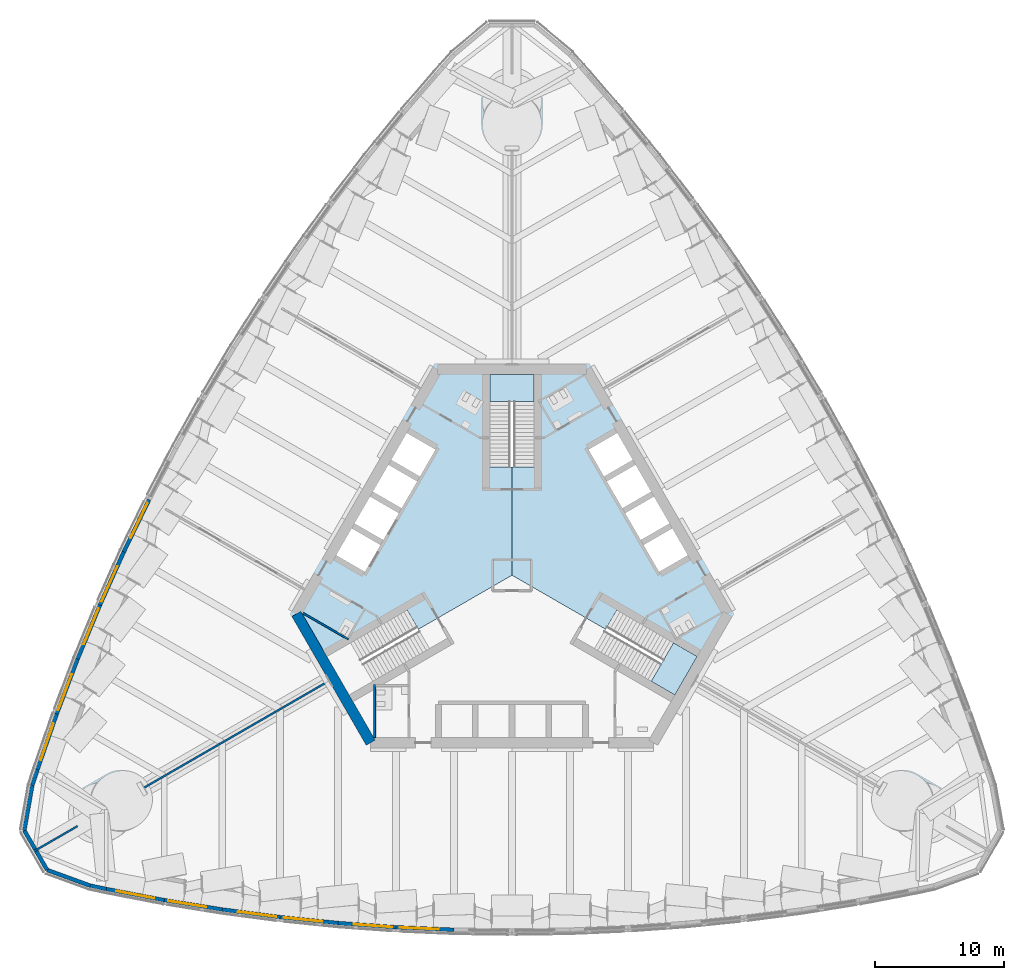
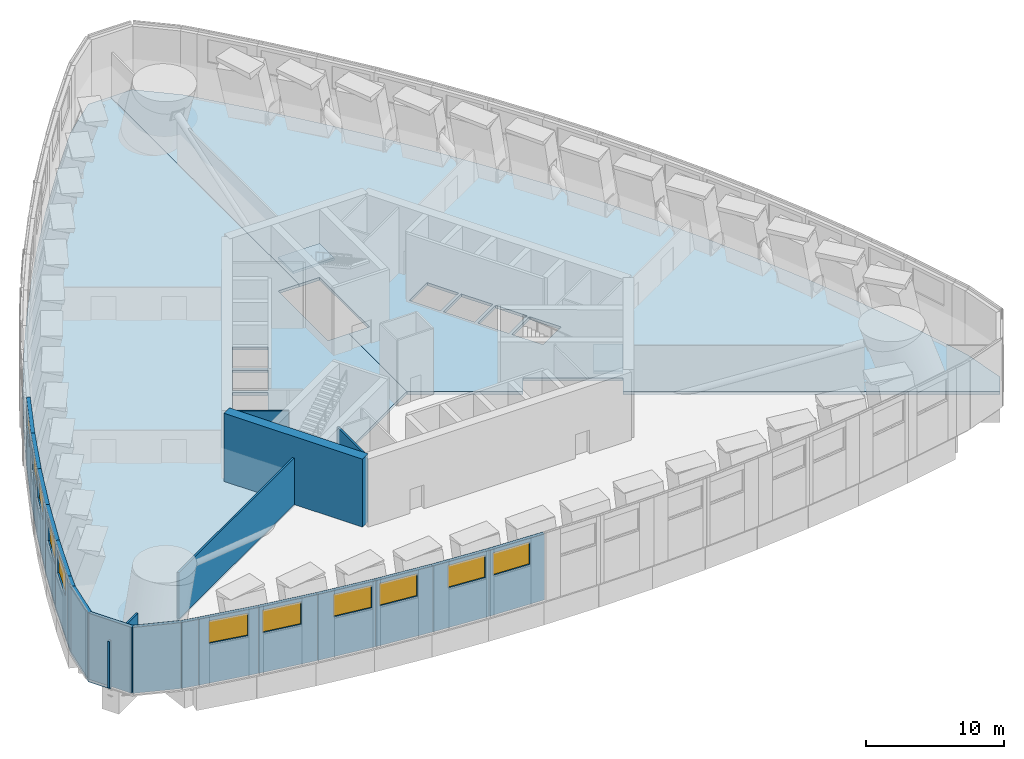
# One storey, part 7 of 28: 21 walls, 11 windows, 4 slabs, 11 openings, 2 elements without a shape of their own.
"""IFC4 building model written with IfcOpenShell, lengths in metres."""

from ifc_helpers import new_model, si_unit, direction, frame, frame_2d, origin, place, context, subcontext, project, spatial, polyline, rectangle, outline, extrude, material, layer, layer_set, type_object, element, fill, aggregate, save


model = new_model("IFC4")

# Units and contexts
model_context = context("Model", 3, precision=1e-05, world=origin(), true_north=direction((0.0, 1.0)))
body_context = subcontext(model_context, "Body", "Model", "MODEL_VIEW")
ifc_project = project(units=[si_unit("LENGTHUNIT", "METRE"), si_unit("AREAUNIT", "SQUARE_METRE"), si_unit("VOLUMEUNIT", "CUBIC_METRE"), si_unit("PLANEANGLEUNIT", "RADIAN"), si_unit("MASSUNIT", "GRAM", prefix="KILO")], contexts=[model_context])

# Site, building, storey
site_placement = place(None, origin())
site = spatial("IfcSite", under=ifc_project, at=site_placement, CompositionType="ELEMENT")
building_placement = place(site_placement, origin())
building = spatial("IfcBuilding", under=site, at=building_placement, Name="Trefoil Bronze Tower", CompositionType="ELEMENT")
storey_placement = place(building_placement, frame((0.0, 0.0, 92.10009765625)))
storey = spatial("IfcBuildingStorey", under=building, at=storey_placement, Name="L21", CompositionType="ELEMENT", Elevation=92.10009765625)

# Slabs
ifc_material_1 = material(Name="Concrete B30", Category="concrete")
ifc_layer_1 = layer(ifc_material_1, 0.25)
ifc_layer_set_1 = layer_set([ifc_layer_1], Name="Floor slab 250")
slab_type_1 = type_object("IfcSlabType", Name="Floor slab 250", PredefinedType="FLOOR", material=ifc_layer_set_1)
slab_1_placement = place(storey_placement, frame((0.0, 0.0, -0.25)))
element("IfcSlab", 1, at=slab_1_placement, inside=storey, type_object=slab_type_1, Name="Floor slab L21 face 2", PredefinedType="FLOOR", context=body_context, shape_type="SweptSolid", body=[
    extrude(outline(polyline([(8.47998046875, 36.07275390625), (11.360107421875, 32.53955078125), (14.123291015625, 28.938720703125), (16.771240234375, 25.271240234375), (19.3046875, 21.537841796875), (21.724609375, 17.73876953125), (24.031005859375, 13.874267578125), (26.224609375, 9.944580078125), (28.3046875, 5.949462890625), (30.271240234375, 1.888671875), (32.123291015625, -2.238037109375), (33.860107421875, -6.431640625), (35.47998046875, -10.6923828125), (36.9814453125, -15.021728515625), (37.381103515625, -16.248779296875), (38.0146484375, -19.841552734375), (37.1025390625, -21.421142578125), (13.510009765625, -7.800048828125), (14.37255859375, -6.30615234375), (8.13720703125, -2.7060546875), (7.274658203125, -4.199951171875), (0.0, 0.0), (0.0, 8.39990234375), (1.72509765625, 8.39990234375), (1.72509765625, 15.60009765625), (0.0, 15.60009765625), (0.0, 42.842529296875), (1.82421875, 42.842529296875), (4.618896484375, 40.497314453125), (5.4814453125, 39.537841796875), (8.47998046875, 36.07275390625)]), holes=[polyline([(11.469482421875, 0.184326171875), (10.16943359375, 2.43603515625), (12.3994140625, 3.7236328125), (13.699462890625, 1.471923828125), (11.469482421875, 0.184326171875)]), polyline([(10.04443359375, 2.652587890625), (8.744384765625, 4.904296875), (10.974365234375, 6.191650390625), (12.2744140625, 3.940185546875), (10.04443359375, 2.652587890625)]), polyline([(8.619384765625, 5.120849609375), (7.3193359375, 7.372314453125), (9.54931640625, 8.659912109375), (10.849365234375, 6.408203125), (8.619384765625, 5.120849609375)]), polyline([(7.1943359375, 7.5888671875), (5.894287109375, 9.840576171875), (8.12451171875, 11.128173828125), (9.42431640625, 8.87646484375), (7.1943359375, 7.5888671875)])]), origin(), (0.0, 0.0, 1.0), 0.25),
])
slab_2_placement = place(storey_placement, frame((0.0, 0.0, -0.25)))
element("IfcSlab", 2, at=slab_2_placement, inside=storey, type_object=slab_type_1, Name="Floor slab L21 face 3", PredefinedType="FLOOR", context=body_context, shape_type="SweptSolid", body=[
    extrude(outline(polyline([(-35.47998046875, -10.6923828125), (-33.860107421875, -6.431640625), (-32.123291015625, -2.238037109375), (-30.271240234375, 1.888671875), (-28.3046875, 5.949462890625), (-26.224609375, 9.944580078125), (-24.031005859375, 13.874267578125), (-21.724609375, 17.73876953125), (-19.3046875, 21.537841796875), (-16.771240234375, 25.271240234375), (-14.123291015625, 28.938720703125), (-11.360107421875, 32.53955078125), (-8.47998046875, 36.07275390625), (-5.4814453125, 39.537841796875), (-4.618896484375, 40.497314453125), (-1.82421875, 42.842529296875), (0.0, 42.842529296875), (0.0, 15.60009765625), (-1.72509765625, 15.60009765625), (-1.72509765625, 8.39990234375), (0.0, 8.39990234375), (0.0, 0.0), (-7.274658203125, -4.199951171875), (-8.13720703125, -2.7060546875), (-14.37255859375, -6.30615234375), (-13.510009765625, -7.800048828125), (-37.1025390625, -21.421142578125), (-38.0146484375, -19.841552734375), (-37.381103515625, -16.248779296875), (-36.9814453125, -15.021728515625), (-35.47998046875, -10.6923828125)]), holes=[polyline([(-5.894287109375, 9.840576171875), (-7.1943359375, 7.5888671875), (-9.42431640625, 8.87646484375), (-8.12451171875, 11.128173828125), (-5.894287109375, 9.840576171875)]), polyline([(-7.3193359375, 7.372314453125), (-8.619384765625, 5.120849609375), (-10.849365234375, 6.408203125), (-9.54931640625, 8.659912109375), (-7.3193359375, 7.372314453125)]), polyline([(-8.744384765625, 4.904296875), (-10.04443359375, 2.652587890625), (-12.2744140625, 3.940185546875), (-10.974365234375, 6.191650390625), (-8.744384765625, 4.904296875)]), polyline([(-10.16943359375, 2.43603515625), (-11.469482421875, 0.184326171875), (-13.699462890625, 1.471923828125), (-12.3994140625, 3.7236328125), (-10.16943359375, 2.43603515625)])]), origin(), (0.0, 0.0, 1.0), 0.25),
])

# Stair, slab
ifc_material_2 = material(Name="Precast concrete B80", Category="concrete")
stair_type = type_object("IfcStairType", Name="Exit stair 36 risers", PredefinedType="HALF_TURN_STAIR", material=ifc_material_2)
stair_1_placement = place(storey_placement, origin())
stair_1 = element("IfcStair", 3, at=stair_1_placement, inside=storey, type_object=stair_type, Name="Stair ST1 L21", PredefinedType="HALF_TURN_STAIR")
ifc_material_3 = material(Name="Concrete B30", Category="concrete")
ifc_layer_2 = layer(ifc_material_3, 0.199951171875)
ifc_layer_set_2 = layer_set([ifc_layer_2], Name="Stair landing 200")
slab_type_2 = type_object("IfcSlabType", Name="Stair landing 200", PredefinedType="LANDING", material=ifc_layer_set_2)
slab_3_placement = place(storey_placement, frame((0.0, 0.0, 2.7998046875)))
slab_3 = element("IfcSlab", 4, at=slab_3_placement, type_object=slab_type_2, Name="ST1 landing 1", PredefinedType="LANDING", context=body_context, shape_type="SweptSolid", body=[
    extrude(outline(polyline([(10.8115234375, -8.23388671875), (12.6474609375, -9.2939453125), (14.37255859375, -6.30615234375), (12.53662109375, -5.24609375), (10.8115234375, -8.23388671875)])), origin(), (0.0, 0.0, 1.0), 0.2001953125),
])
aggregate(stair_1, [slab_3])

stair_2_placement = place(storey_placement, origin())
stair_2 = element("IfcStair", 5, at=stair_2_placement, inside=storey, type_object=stair_type, Name="Stair ST2 L21", PredefinedType="HALF_TURN_STAIR")
slab_4_placement = place(storey_placement, frame((0.0, 0.0, 2.7998046875)))
slab_4 = element("IfcSlab", 6, at=slab_4_placement, type_object=slab_type_2, Name="ST2 landing 1", PredefinedType="LANDING", context=body_context, shape_type="SweptSolid", body=[
    extrude(outline(polyline([(1.72509765625, 13.47998046875), (1.72509765625, 15.60009765625), (-1.72509765625, 15.60009765625), (-1.72509765625, 13.47998046875), (1.72509765625, 13.47998046875)])), origin(), (0.0, 0.0, 1.0), 0.2001953125),
])
aggregate(stair_2, [slab_4])

# Wall
ifc_material_4 = material(Name="Concrete B80", Category="concrete")
ifc_layer_3 = layer(ifc_material_4, 0.300048828125)
ifc_layer_set_3 = layer_set([ifc_layer_3], Name="Belt wall 300")
wall_type_1 = type_object("IfcWallType", Name="Belt wall 300", PredefinedType="SOLIDWALL", material=ifc_layer_set_3)
wall_1_placement = place(storey_placement, frame((-32.762451171875, -24.0986328125, 0.0), z_axis=(0.0, 0.0, 1.0), x_axis=(0.978306217861, -0.207164051162, 0.0)))
element("IfcWall", 7, at=wall_1_placement, inside=storey, type_object=wall_type_1, Name="Belt wall T1.1", PredefinedType="SOLIDWALL", context=body_context, shape_type="SweptSolid", body=[
    extrude(rectangle(XDim=1.29052734375, YDim=0.300048828125, at=frame_2d((0.645263671875, 0.0))), origin(), (0.0, 0.0, 1.0), 5.7998046875),
])

# Wall, opening, window
wall_2_placement = place(storey_placement, frame((-31.5, -24.365966796875, 0.0), z_axis=(0.0, 0.0, 1.0), x_axis=(0.982042151555, -0.188661635127, 0.0)))
wall_2 = element("IfcWall", 8, at=wall_2_placement, inside=storey, type_object=wall_type_1, Name="Belt wall T1.2", PredefinedType="SOLIDWALL", context=body_context, shape_type="SweptSolid", body=[
    extrude(rectangle(XDim=4.582275390625, YDim=0.300048828125, at=frame_2d((2.291015625, 0.0))), origin(), (0.0, 0.0, 1.0), 5.7998046875),
])
opening_1_placement = place(wall_2_placement, frame((0.791015625, 0.0, 3.5)))
opening_1 = element("IfcOpeningElement", 9, at=opening_1_placement, cuts=wall_2, Name="Opening LV1", PredefinedType="OPENING", context=body_context, shape_type="SweptSolid", body=[
    extrude(rectangle(XDim=3.0, YDim=2.0, at=frame_2d((1.5, 1.0))), frame((0.0, 0.159912109375, 0.0), z_axis=(0.0, -1.0, 0.0), x_axis=(1.0, 0.0, 0.0)), (0.0, 0.0, 1.0), 0.320068359375),
])
ifc_material_5 = material(Name="Bronze-finish aluminium louvre", Category="aluminium")
window_type = type_object("IfcWindowType", Name="Plant louvre 3000", PartitioningType="SINGLE_PANEL", PredefinedType="USERDEFINED", material=ifc_material_5)
window_1_placement = place(opening_1_placement, origin())
window_1 = element("IfcWindow", 10, at=window_1_placement, inside=storey, type_object=window_type, Name="Plant louvre L21 F1.2.1", ObjectType="LOUVRE", OverallHeight=2.0, OverallWidth=3.0, PartitioningType="SINGLE_PANEL", PredefinedType="USERDEFINED", context=body_context, shape_type="SweptSolid", body=[
    extrude(rectangle(XDim=3.0, YDim=2.0, at=frame_2d((1.5, 1.0))), frame((0.0, 0.030029296875, 0.0), z_axis=(0.0, -1.0, 0.0), x_axis=(1.0, 0.0, 0.0)), (0.0, 0.0, 1.0), 0.06005859375),
])
fill(opening_1, window_1)

wall_3_placement = place(storey_placement, frame((-27.0, -25.23046875, 0.0), z_axis=(0.0, 0.0, 1.0), x_axis=(0.987181300889, -0.159602879593, 0.0)))
wall_3 = element("IfcWall", 11, at=wall_3_placement, inside=storey, type_object=wall_type_1, Name="Belt wall T1.3", PredefinedType="SOLIDWALL", context=body_context, shape_type="SweptSolid", body=[
    extrude(rectangle(XDim=4.558349609375, YDim=0.300048828125, at=frame_2d((2.279296875, 0.0))), origin(), (0.0, 0.0, 1.0), 5.7998046875),
])
opening_2_placement = place(wall_3_placement, frame((0.300048828125, 0.0, 3.5)))
opening_2 = element("IfcOpeningElement", 12, at=opening_2_placement, cuts=wall_3, Name="Opening LV1", PredefinedType="OPENING", context=body_context, shape_type="SweptSolid", body=[
    extrude(rectangle(XDim=3.0, YDim=2.0, at=frame_2d((1.5, 1.0))), frame((0.0, 0.159912109375, 0.0), z_axis=(0.0, -1.0, 0.0), x_axis=(1.0, 0.0, 0.0)), (0.0, 0.0, 1.0), 0.320068359375),
])
window_2_placement = place(opening_2_placement, origin())
window_2 = element("IfcWindow", 13, at=window_2_placement, inside=storey, type_object=window_type, Name="Plant louvre L21 F1.3.1", ObjectType="LOUVRE", OverallHeight=2.0, OverallWidth=3.0, PartitioningType="SINGLE_PANEL", PredefinedType="USERDEFINED", context=body_context, shape_type="SweptSolid", body=[
    extrude(rectangle(XDim=3.0, YDim=2.0, at=frame_2d((1.5, 1.0))), frame((0.0, 0.030029296875, 0.0), z_axis=(0.0, -1.0, 0.0), x_axis=(1.0, 0.0, 0.0)), (0.0, 0.0, 1.0), 0.06005859375),
])
fill(opening_2, window_2)

wall_4_placement = place(storey_placement, frame((-22.5, -25.9580078125, 0.0), z_axis=(0.0, 0.0, 1.0), x_axis=(0.991442207947, -0.130546345415, 0.0)))
wall_4 = element("IfcWall", 14, at=wall_4_placement, inside=storey, type_object=wall_type_1, Name="Belt wall T1.4", PredefinedType="SOLIDWALL", context=body_context, shape_type="SweptSolid", body=[
    extrude(rectangle(XDim=4.538818359375, YDim=0.300048828125, at=frame_2d((2.26953125, 0.0))), origin(), (0.0, 0.0, 1.0), 5.7998046875),
])
opening_3_placement = place(wall_4_placement, frame((1.23876953125, 0.0, 3.5)))
opening_3 = element("IfcOpeningElement", 15, at=opening_3_placement, cuts=wall_4, Name="Opening LV1", PredefinedType="OPENING", context=body_context, shape_type="SweptSolid", body=[
    extrude(rectangle(XDim=3.0, YDim=2.0, at=frame_2d((1.5, 1.0))), frame((0.0, 0.159912109375, 0.0), z_axis=(0.0, -1.0, 0.0), x_axis=(1.0, 0.0, 0.0)), (0.0, 0.0, 1.0), 0.320068359375),
])
window_3_placement = place(opening_3_placement, origin())
window_3 = element("IfcWindow", 16, at=window_3_placement, inside=storey, type_object=window_type, Name="Plant louvre L21 F1.4.1", ObjectType="LOUVRE", OverallHeight=2.0, OverallWidth=3.0, PartitioningType="SINGLE_PANEL", PredefinedType="USERDEFINED", context=body_context, shape_type="SweptSolid", body=[
    extrude(rectangle(XDim=3.0, YDim=2.0, at=frame_2d((1.5, 1.0))), frame((0.0, 0.030029296875, 0.0), z_axis=(0.0, -1.0, 0.0), x_axis=(1.0, 0.0, 0.0)), (0.0, 0.0, 1.0), 0.06005859375),
])
fill(opening_3, window_3)

wall_5_placement = place(storey_placement, frame((-18.0, -26.550537109375, 0.0), z_axis=(0.0, 0.0, 1.0), x_axis=(0.994827688697, -0.101576915697, 0.0)))
wall_5 = element("IfcWall", 17, at=wall_5_placement, inside=storey, type_object=wall_type_1, Name="Belt wall T1.5", PredefinedType="SOLIDWALL", context=body_context, shape_type="SweptSolid", body=[
    extrude(rectangle(XDim=4.5234375, YDim=0.300048828125, at=frame_2d((2.26171875, 0.0))), origin(), (0.0, 0.0, 1.0), 5.7998046875),
])
opening_4_placement = place(wall_5_placement, frame((0.300048828125, 0.0, 3.5)))
opening_4 = element("IfcOpeningElement", 18, at=opening_4_placement, cuts=wall_5, Name="Opening LV1", PredefinedType="OPENING", context=body_context, shape_type="SweptSolid", body=[
    extrude(rectangle(XDim=3.0, YDim=2.0, at=frame_2d((1.5, 1.0))), frame((0.0, 0.159912109375, 0.0), z_axis=(0.0, -1.0, 0.0), x_axis=(1.0, 0.0, 0.0)), (0.0, 0.0, 1.0), 0.320068359375),
])
window_4_placement = place(opening_4_placement, origin())
window_4 = element("IfcWindow", 19, at=window_4_placement, inside=storey, type_object=window_type, Name="Plant louvre L21 F1.5.1", ObjectType="LOUVRE", OverallHeight=2.0, OverallWidth=3.0, PartitioningType="SINGLE_PANEL", PredefinedType="USERDEFINED", context=body_context, shape_type="SweptSolid", body=[
    extrude(rectangle(XDim=3.0, YDim=2.0, at=frame_2d((1.5, 1.0))), frame((0.0, 0.030029296875, 0.0), z_axis=(0.0, -1.0, 0.0), x_axis=(1.0, 0.0, 0.0)), (0.0, 0.0, 1.0), 0.06005859375),
])
fill(opening_4, window_4)

wall_6_placement = place(storey_placement, frame((-13.5, -27.010009765625, 0.0), z_axis=(0.0, 0.0, 1.0), x_axis=(0.997363894896, -0.072562119306, 0.0)))
wall_6 = element("IfcWall", 20, at=wall_6_placement, inside=storey, type_object=wall_type_1, Name="Belt wall T1.6", PredefinedType="SOLIDWALL", context=body_context, shape_type="SweptSolid", body=[
    extrude(rectangle(XDim=4.511962890625, YDim=0.300048828125, at=frame_2d((2.255859375, 0.0))), origin(), (0.0, 0.0, 1.0), 5.7998046875),
])
opening_5_placement = place(wall_6_placement, frame((1.2119140625, 0.0, 3.5)))
opening_5 = element("IfcOpeningElement", 21, at=opening_5_placement, cuts=wall_6, Name="Opening LV1", PredefinedType="OPENING", context=body_context, shape_type="SweptSolid", body=[
    extrude(rectangle(XDim=3.0, YDim=2.0, at=frame_2d((1.5, 1.0))), frame((0.0, 0.159912109375, 0.0), z_axis=(0.0, -1.0, 0.0), x_axis=(1.0, 0.0, 0.0)), (0.0, 0.0, 1.0), 0.320068359375),
])
window_5_placement = place(opening_5_placement, origin())
window_5 = element("IfcWindow", 22, at=window_5_placement, inside=storey, type_object=window_type, Name="Plant louvre L21 F1.6.1", ObjectType="LOUVRE", OverallHeight=2.0, OverallWidth=3.0, PartitioningType="SINGLE_PANEL", PredefinedType="USERDEFINED", context=body_context, shape_type="SweptSolid", body=[
    extrude(rectangle(XDim=3.0, YDim=2.0, at=frame_2d((1.5, 1.0))), frame((0.0, 0.030029296875, 0.0), z_axis=(0.0, -1.0, 0.0), x_axis=(1.0, 0.0, 0.0)), (0.0, 0.0, 1.0), 0.06005859375),
])
fill(opening_5, window_5)

wall_7_placement = place(storey_placement, frame((-9.0, -27.33740234375, 0.0), z_axis=(0.0, 0.0, 1.0), x_axis=(0.999052370647, -0.043524254212, 0.0)))
wall_7 = element("IfcWall", 23, at=wall_7_placement, inside=storey, type_object=wall_type_1, Name="Belt wall T1.7", PredefinedType="SOLIDWALL", context=body_context, shape_type="SweptSolid", body=[
    extrude(rectangle(XDim=4.504150390625, YDim=0.300048828125, at=frame_2d((2.251953125, 0.0))), origin(), (0.0, 0.0, 1.0), 5.7998046875),
])
opening_6_placement = place(wall_7_placement, frame((0.300048828125, 0.0, 3.5)))
opening_6 = element("IfcOpeningElement", 24, at=opening_6_placement, cuts=wall_7, Name="Opening LV1", PredefinedType="OPENING", context=body_context, shape_type="SweptSolid", body=[
    extrude(rectangle(XDim=3.0, YDim=2.0, at=frame_2d((1.5, 1.0))), frame((0.0, 0.159912109375, 0.0), z_axis=(0.0, -1.0, 0.0), x_axis=(1.0, 0.0, 0.0)), (0.0, 0.0, 1.0), 0.320068359375),
])
window_6_placement = place(opening_6_placement, origin())
window_6 = element("IfcWindow", 25, at=window_6_placement, inside=storey, type_object=window_type, Name="Plant louvre L21 F1.7.1", ObjectType="LOUVRE", OverallHeight=2.0, OverallWidth=3.0, PartitioningType="SINGLE_PANEL", PredefinedType="USERDEFINED", context=body_context, shape_type="SweptSolid", body=[
    extrude(rectangle(XDim=3.0, YDim=2.0, at=frame_2d((1.5, 1.0))), frame((0.0, 0.030029296875, 0.0), z_axis=(0.0, -1.0, 0.0), x_axis=(1.0, 0.0, 0.0)), (0.0, 0.0, 1.0), 0.06005859375),
])
fill(opening_6, window_6)

wall_8_placement = place(storey_placement, frame((-28.1748046875, 5.87451171875, 0.0), z_axis=(0.0, 0.0, 1.0), x_axis=(-0.435857917556, -0.900015486369, 0.0)))
wall_8 = element("IfcWall", 26, at=wall_8_placement, inside=storey, type_object=wall_type_1, Name="Belt wall T1.49", PredefinedType="SOLIDWALL", context=body_context, shape_type="SweptSolid", body=[
    extrude(rectangle(XDim=4.511962890625, YDim=0.300048828125, at=frame_2d((2.255859375, 0.0))), origin(), (0.0, 0.0, 1.0), 5.7998046875),
])
opening_7_placement = place(wall_8_placement, frame((0.300048828125, 0.0, 3.5)))
opening_7 = element("IfcOpeningElement", 27, at=opening_7_placement, cuts=wall_8, Name="Opening LV1", PredefinedType="OPENING", context=body_context, shape_type="SweptSolid", body=[
    extrude(rectangle(XDim=3.0, YDim=2.0, at=frame_2d((1.5, 1.0))), frame((0.0, 0.159912109375, 0.0), z_axis=(0.0, -1.0, 0.0), x_axis=(1.0, 0.0, 0.0)), (0.0, 0.0, 1.0), 0.320068359375),
])
window_7_placement = place(opening_7_placement, origin())
window_7 = element("IfcWindow", 28, at=window_7_placement, inside=storey, type_object=window_type, Name="Plant louvre L21 F3.11.1", ObjectType="LOUVRE", OverallHeight=2.0, OverallWidth=3.0, PartitioningType="SINGLE_PANEL", PredefinedType="USERDEFINED", context=body_context, shape_type="SweptSolid", body=[
    extrude(rectangle(XDim=3.0, YDim=2.0, at=frame_2d((1.5, 1.0))), frame((0.0, 0.030029296875, 0.0), z_axis=(0.0, -1.0, 0.0), x_axis=(1.0, 0.0, 0.0)), (0.0, 0.0, 1.0), 0.06005859375),
])
fill(opening_7, window_7)

wall_9_placement = place(storey_placement, frame((-30.141357421875, 1.813720703125, 0.0), z_axis=(0.0, 0.0, 1.0), x_axis=(-0.409430894151, -0.912341132973, 0.0)))
wall_9 = element("IfcWall", 29, at=wall_9_placement, inside=storey, type_object=wall_type_1, Name="Belt wall T1.50", PredefinedType="SOLIDWALL", context=body_context, shape_type="SweptSolid", body=[
    extrude(rectangle(XDim=4.5234375, YDim=0.300048828125, at=frame_2d((2.26171875, 0.0))), origin(), (0.0, 0.0, 1.0), 5.7998046875),
])
opening_8_placement = place(wall_9_placement, frame((1.223388671875, 0.0, 3.5)))
opening_8 = element("IfcOpeningElement", 30, at=opening_8_placement, cuts=wall_9, Name="Opening LV1", PredefinedType="OPENING", context=body_context, shape_type="SweptSolid", body=[
    extrude(rectangle(XDim=3.0, YDim=2.0, at=frame_2d((1.5, 1.0))), frame((0.0, 0.159912109375, 0.0), z_axis=(0.0, -1.0, 0.0), x_axis=(1.0, 0.0, 0.0)), (0.0, 0.0, 1.0), 0.320068359375),
])
window_8_placement = place(opening_8_placement, origin())
window_8 = element("IfcWindow", 31, at=window_8_placement, inside=storey, type_object=window_type, Name="Plant louvre L21 F3.12.1", ObjectType="LOUVRE", OverallHeight=2.0, OverallWidth=3.0, PartitioningType="SINGLE_PANEL", PredefinedType="USERDEFINED", context=body_context, shape_type="SweptSolid", body=[
    extrude(rectangle(XDim=3.0, YDim=2.0, at=frame_2d((1.5, 1.0))), frame((0.0, 0.030029296875, 0.0), z_axis=(0.0, -1.0, 0.0), x_axis=(1.0, 0.0, 0.0)), (0.0, 0.0, 1.0), 0.06005859375),
])
fill(opening_8, window_8)

wall_10_placement = place(storey_placement, frame((-31.993408203125, -2.313232421875, 0.0), z_axis=(0.0, 0.0, 1.0), x_axis=(-0.38265900014, -0.923889652292, 0.0)))
wall_10 = element("IfcWall", 32, at=wall_10_placement, inside=storey, type_object=wall_type_1, Name="Belt wall T1.51", PredefinedType="SOLIDWALL", context=body_context, shape_type="SweptSolid", body=[
    extrude(rectangle(XDim=4.538818359375, YDim=0.300048828125, at=frame_2d((2.26953125, 0.0))), origin(), (0.0, 0.0, 1.0), 5.7998046875),
])
opening_9_placement = place(wall_10_placement, frame((0.300048828125, 0.0, 3.5)))
opening_9 = element("IfcOpeningElement", 33, at=opening_9_placement, cuts=wall_10, Name="Opening LV1", PredefinedType="OPENING", context=body_context, shape_type="SweptSolid", body=[
    extrude(rectangle(XDim=3.0, YDim=2.0, at=frame_2d((1.5, 1.0))), frame((0.0, 0.159912109375, 0.0), z_axis=(0.0, -1.0, 0.0), x_axis=(1.0, 0.0, 0.0)), (0.0, 0.0, 1.0), 0.320068359375),
])
window_9_placement = place(opening_9_placement, origin())
window_9 = element("IfcWindow", 34, at=window_9_placement, inside=storey, type_object=window_type, Name="Plant louvre L21 F3.13.1", ObjectType="LOUVRE", OverallHeight=2.0, OverallWidth=3.0, PartitioningType="SINGLE_PANEL", PredefinedType="USERDEFINED", context=body_context, shape_type="SweptSolid", body=[
    extrude(rectangle(XDim=3.0, YDim=2.0, at=frame_2d((1.5, 1.0))), frame((0.0, 0.030029296875, 0.0), z_axis=(0.0, -1.0, 0.0), x_axis=(1.0, 0.0, 0.0)), (0.0, 0.0, 1.0), 0.06005859375),
])
fill(opening_9, window_9)

wall_11_placement = place(storey_placement, frame((-33.730224609375, -6.506591796875, 0.0), z_axis=(0.0, 0.0, 1.0), x_axis=(-0.355351603025, -0.93473270951, 0.0)))
wall_11 = element("IfcWall", 35, at=wall_11_placement, inside=storey, type_object=wall_type_1, Name="Belt wall T1.52", PredefinedType="SOLIDWALL", context=body_context, shape_type="SweptSolid", body=[
    extrude(rectangle(XDim=4.55859375, YDim=0.300048828125, at=frame_2d((2.279296875, 0.0))), origin(), (0.0, 0.0, 1.0), 5.7998046875),
])
opening_10_placement = place(wall_11_placement, frame((1.258544921875, 0.0, 3.5)))
opening_10 = element("IfcOpeningElement", 36, at=opening_10_placement, cuts=wall_11, Name="Opening LV1", PredefinedType="OPENING", context=body_context, shape_type="SweptSolid", body=[
    extrude(rectangle(XDim=3.0, YDim=2.0, at=frame_2d((1.5, 1.0))), frame((0.0, 0.159912109375, 0.0), z_axis=(0.0, -1.0, 0.0), x_axis=(1.0, 0.0, 0.0)), (0.0, 0.0, 1.0), 0.320068359375),
])
window_10_placement = place(opening_10_placement, origin())
window_10 = element("IfcWindow", 37, at=window_10_placement, inside=storey, type_object=window_type, Name="Plant louvre L21 F3.14.1", ObjectType="LOUVRE", OverallHeight=2.0, OverallWidth=3.0, PartitioningType="SINGLE_PANEL", PredefinedType="USERDEFINED", context=body_context, shape_type="SweptSolid", body=[
    extrude(rectangle(XDim=3.0, YDim=2.0, at=frame_2d((1.5, 1.0))), frame((0.0, 0.030029296875, 0.0), z_axis=(0.0, -1.0, 0.0), x_axis=(1.0, 0.0, 0.0)), (0.0, 0.0, 1.0), 0.06005859375),
])
fill(opening_10, window_10)

wall_12_placement = place(storey_placement, frame((-35.35009765625, -10.767578125, 0.0), z_axis=(0.0, 0.0, 1.0), x_axis=(-0.327681468309, -0.94478825952, 0.0)))
wall_12 = element("IfcWall", 38, at=wall_12_placement, inside=storey, type_object=wall_type_1, Name="Belt wall T1.53", PredefinedType="SOLIDWALL", context=body_context, shape_type="SweptSolid", body=[
    extrude(rectangle(XDim=4.58203125, YDim=0.300048828125, at=frame_2d((2.291015625, 0.0))), origin(), (0.0, 0.0, 1.0), 5.7998046875),
])
opening_11_placement = place(wall_12_placement, frame((0.791015625, 0.0, 3.5)))
opening_11 = element("IfcOpeningElement", 39, at=opening_11_placement, cuts=wall_12, Name="Opening LV1", PredefinedType="OPENING", context=body_context, shape_type="SweptSolid", body=[
    extrude(rectangle(XDim=3.0, YDim=2.0, at=frame_2d((1.5, 1.0))), frame((0.0, 0.159912109375, 0.0), z_axis=(0.0, -1.0, 0.0), x_axis=(1.0, 0.0, 0.0)), (0.0, 0.0, 1.0), 0.320068359375),
])
window_11_placement = place(opening_11_placement, origin())
window_11 = element("IfcWindow", 40, at=window_11_placement, inside=storey, type_object=window_type, Name="Plant louvre L21 F3.15.1", ObjectType="LOUVRE", OverallHeight=2.0, OverallWidth=3.0, PartitioningType="SINGLE_PANEL", PredefinedType="USERDEFINED", context=body_context, shape_type="SweptSolid", body=[
    extrude(rectangle(XDim=3.0, YDim=2.0, at=frame_2d((1.5, 1.0))), frame((0.0, 0.030029296875, 0.0), z_axis=(0.0, -1.0, 0.0), x_axis=(1.0, 0.0, 0.0)), (0.0, 0.0, 1.0), 0.06005859375),
])
fill(opening_11, window_11)

# Walls
wall_13_placement = place(storey_placement, frame((-36.8515625, -15.0966796875, 0.0), z_axis=(0.0, 0.0, 1.0), x_axis=(-0.309693449929, -0.950836456532, 0.0)))
element("IfcWall", 41, at=wall_13_placement, inside=storey, type_object=wall_type_1, Name="Belt wall T1.54", PredefinedType="SOLIDWALL", context=body_context, shape_type="SweptSolid", body=[
    extrude(rectangle(XDim=1.29052734375, YDim=0.300048828125, at=frame_2d((0.645263671875, 0.0))), origin(), (0.0, 0.0, 1.0), 5.7998046875),
])
for number, where, z_axis, x_axis, name in (
    (42, (-37.251220703125, -16.32373046875, 0.0), (0.0, 0.0, 1.0), (-0.17365963216, -0.984805733207, 0.0), "Belt wall T1.55"),
    (43, (-37.866943359375, -19.8154296875, 0.0), (0.0, 0.0, 1.0), (0.499982733475, -0.866035372388, 0.0), "Belt wall T1.56"),
    (44, (-36.09423828125, -22.885986328125, 0.0), (0.0, 0.0, 1.0), (0.939694873342, -0.342013954414, 0.0), "Belt wall T1.57"),
):
    element("IfcWall", number, at=place(storey_placement, frame(where, z_axis=z_axis, x_axis=x_axis)), inside=storey, type_object=wall_type_1, Name=name, PredefinedType="SOLIDWALL", context=body_context, shape_type="SweptSolid", body=[
        extrude(rectangle(XDim=3.545654296875, YDim=0.300048828125, at=frame_2d((1.77294921875, 0.0))), origin(), (0.0, 0.0, 1.0), 5.7998046875),
    ])
ifc_material_6 = material(Name="Concrete B80", Category="concrete")
ifc_layer_4 = layer(ifc_material_6, 0.800048828125)
ifc_layer_set_4 = layer_set([ifc_layer_4], Name="Core wall 800")
wall_type_2 = type_object("IfcWallType", Name="Core wall 800", PredefinedType="SHEAR", material=ifc_layer_set_4)
wall_14_placement = place(storey_placement, frame((-16.7431640625, -3.0, 0.0), z_axis=(0.0, 0.0, 1.0), x_axis=(0.499995765644, -0.866027848477, 0.0)))
element("IfcWall", 45, at=wall_14_placement, inside=storey, type_object=wall_type_2, Name="Core short wall 3 L21", PredefinedType="SHEAR", context=body_context, shape_type="SweptSolid", body=[
    extrude(rectangle(XDim=11.546875, YDim=0.800048828125, at=frame_2d((5.7734375, 0.0))), origin(), (0.0, 0.0, 1.0), 6.0),
])
ifc_material_7 = material(Name="Gypsum board on steel studs", Category="steel")
ifc_layer_5 = layer(ifc_material_7, 0.14990234375)
ifc_layer_set_5 = layer_set([ifc_layer_5], Name="Partition 150")
wall_type_3 = type_object("IfcWallType", Name="Partition 150", PredefinedType="PARTITIONING", material=ifc_layer_set_5)
for number, where, z_axis, x_axis, name in (
    (46, (-12.691162109375, -4.98193359375, 0.0), (0.0, 0.0, 1.0), (-0.8660249478, 0.500000789788, 0.0), "WC partition WC (men) L21"),
    (47, (-10.659912109375, -8.5, 0.0), (0.0, 0.0, 1.0), (0.0, -1.0, 0.0), "WC partition WC (women) L21"),
):
    element("IfcWall", number, at=place(storey_placement, frame(where, z_axis=z_axis, x_axis=x_axis)), inside=storey, type_object=wall_type_3, Name=name, PredefinedType="PARTITIONING", context=body_context, shape_type="SweptSolid", body=[
        extrude(rectangle(XDim=4.10009765625, YDim=0.14990234375, at=frame_2d((2.050048828125, 0.0))), origin(), (0.0, 0.0, 1.0), 5.7998046875),
    ])
ifc_material_8 = material(Name="Gypsum board on steel studs", Category="steel")
ifc_layer_6 = layer(ifc_material_8, 0.14990234375)
ifc_layer_set_6 = layer_set([ifc_layer_6], Name="Party wall 150")
wall_type_4 = type_object("IfcWallType", Name="Party wall 150", PredefinedType="PARTITIONING", material=ifc_layer_set_6)
wall_15_placement = place(storey_placement, frame((-14.202880859375, -8.199951171875, 0.0), z_axis=(0.0, 0.0, 1.0), x_axis=(-0.866024668836, -0.500001272966, 0.0)))
element("IfcWall", 48, at=wall_15_placement, inside=storey, type_object=wall_type_4, Name="Party wall K3 L21", PredefinedType="PARTITIONING", context=body_context, shape_type="SweptSolid", body=[
    extrude(rectangle(XDim=16.64990234375, YDim=0.14990234375, at=frame_2d((8.324951171875, 0.0))), origin(), (0.0, 0.0, 1.0), 4.099853515625),
])
wall_16_placement = place(storey_placement, frame((-33.731689453125, -19.47509765625, 0.0), z_axis=(0.0, 0.0, 1.0), x_axis=(-0.866026440262, -0.499998204763, 0.0)))
element("IfcWall", 49, at=wall_16_placement, inside=storey, type_object=wall_type_4, Name="Party wall K3 L21", PredefinedType="PARTITIONING", context=body_context, shape_type="SweptSolid", body=[
    extrude(rectangle(XDim=4.1640625, YDim=0.14990234375, at=frame_2d((2.08203125, 0.0))), origin(), (0.0, 0.0, 1.0), 4.099853515625),
])

save(model, "model.ifc")
